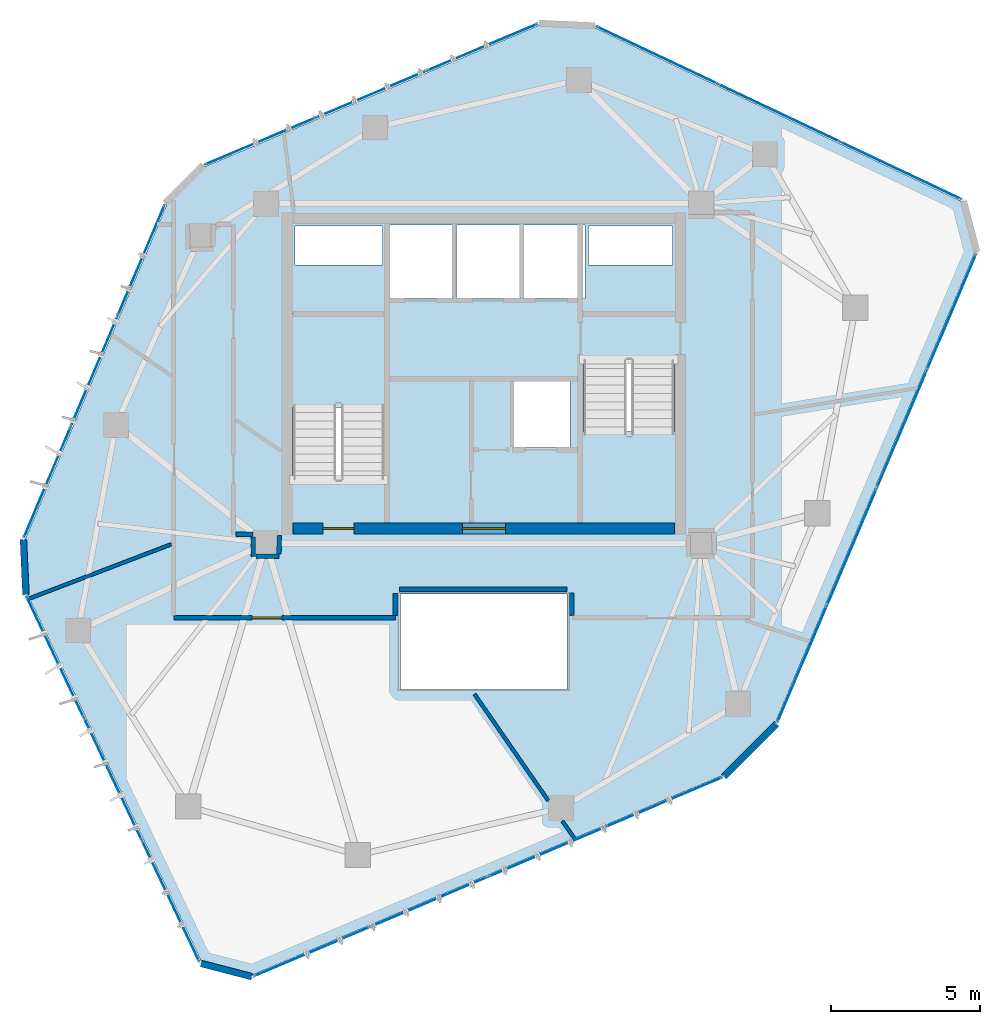
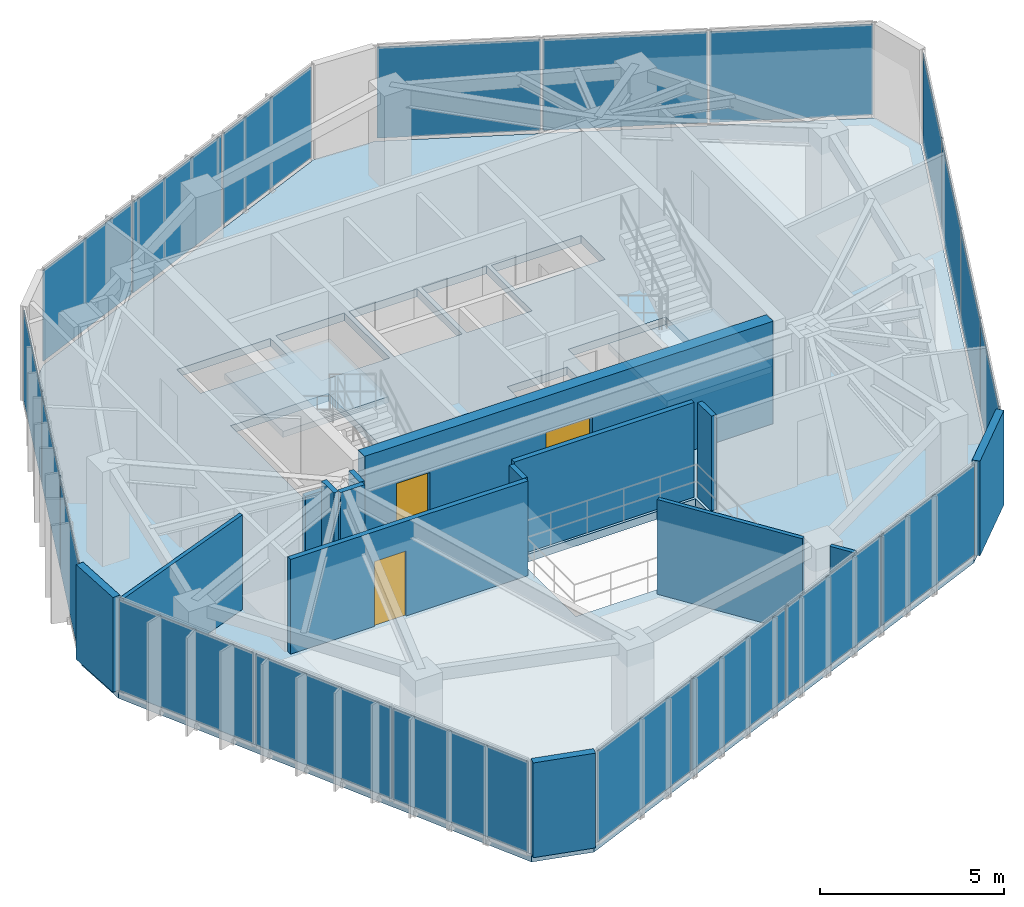
# One storey, part 16 of 20: 20 plates, 15 walls, 3 doors, 3 slabs, 3 openings, 8 elements without a shape of their own.
"""IFC4 building model written with IfcOpenShell, lengths in metres."""

import ifcopenshell
import ifcopenshell.guid

model = None  # the IFC model being written
_history = None  # IfcOwnerHistory: only IFC2X3 demands one
_inside = {}  # id of a spatial element -> (the spatial element, [elements in it])
_under = {}  # id of a project, library or spatial element -> (it, [spatial elements below it])
_declared = {}  # id of a project -> (the project, [libraries it declares])
_typed = {}  # id of a type object -> (the type object, [elements of that type])
_made_of = {}  # id of a material, layer set ... -> (it, [elements and type objects made of it])


def new_model(schema):
    """Start an empty IFC model of exactly this schema.

    Asked for "IFC4X3", IfcOpenShell would pick the latest addendum, in which some entities
    have other attributes; the version numbers below select the first issue.
    IFC2X3 requires an IfcOwnerHistory on every rooted entity: one is made here for all.
    """
    global model, _history
    if schema == "IFC4X3":
        model = ifcopenshell.file(schema_version=(4, 3, 0, 0))
    else:
        model = ifcopenshell.file(schema=schema)
    _inside.clear()
    _under.clear()
    _declared.clear()
    _typed.clear()
    _made_of.clear()
    _history = None
    if model.schema == "IFC2X3":
        org = make("IfcOrganization", Name="unknown")
        user = make(
            "IfcPersonAndOrganization",
            ThePerson=make("IfcPerson", FamilyName="unknown"),
            TheOrganization=org,
        )
        app = make(
            "IfcApplication",
            ApplicationDeveloper=org,
            Version="unknown",
            ApplicationFullName="unknown",
            ApplicationIdentifier="unknown",
        )
        _history = make(
            "IfcOwnerHistory",
            OwningUser=user,
            OwningApplication=app,
            ChangeAction="ADDED",
            CreationDate=0,
        )
    return model


def make(cls, **values):
    """One entity of the class cls with the attributes given. An attribute that is None is left unset."""
    return model.create_entity(
        cls, **{name: value for name, value in values.items() if value is not None}
    )


def rooted(cls, **values):
    """An entity with a GlobalId (a new one), such as an element, a storey or a relation."""
    return make(cls, GlobalId=ifcopenshell.guid.new(), OwnerHistory=_history, **values)


def si_unit(unit_type, name, prefix=None):
    """IfcSIUnit, for example si_unit("LENGTHUNIT", "METRE", prefix="MILLI")."""
    return make("IfcSIUnit", UnitType=unit_type, Prefix=prefix, Name=name)


def assignment(units):
    """IfcUnitAssignment: the units of a project."""
    return None if units is None else make("IfcUnitAssignment", Units=units)


def point(xyz):
    """IfcCartesianPoint."""
    return None if xyz is None else make("IfcCartesianPoint", Coordinates=xyz)


def direction(xyz):
    """IfcDirection."""
    return None if xyz is None else make("IfcDirection", DirectionRatios=xyz)


def frame(location, z_axis=None, x_axis=None):
    """IfcAxis2Placement3D, a coordinate frame: its origin and axes. An axis left out is left unset."""
    return make(
        "IfcAxis2Placement3D",
        Location=point(location),
        Axis=direction(z_axis),
        RefDirection=direction(x_axis),
    )


def frame_2d(location, x_axis=None):
    """IfcAxis2Placement2D, a coordinate frame in the plane: its origin and x axis."""
    return make(
        "IfcAxis2Placement2D", Location=point(location), RefDirection=direction(x_axis)
    )


def origin():
    """The frame at (0, 0, 0) with its axes left unset."""
    return frame((0.0, 0.0, 0.0))


def origin_2d():
    """The frame at (0, 0) in the plane with its x axis left unset."""
    return frame_2d((0.0, 0.0))


def place(relative_to, where):
    """IfcLocalPlacement: puts the frame where relative to a parent placement (None: the world)."""
    return make(
        "IfcLocalPlacement", PlacementRelTo=relative_to, RelativePlacement=where
    )


def context(
    kind, dimensions, precision=None, world=None, true_north=None, identifier=None
):
    """IfcGeometricRepresentationContext, for example the 3D "Model" context."""
    return make(
        "IfcGeometricRepresentationContext",
        ContextIdentifier=identifier,
        ContextType=kind,
        CoordinateSpaceDimension=dimensions,
        Precision=precision,
        WorldCoordinateSystem=world,
        TrueNorth=true_north,
    )


def subcontext(parent, identifier, kind, view, scale=None):
    """IfcGeometricRepresentationSubContext, for example "Body" below "Model"."""
    return make(
        "IfcGeometricRepresentationSubContext",
        ContextIdentifier=identifier,
        ContextType=kind,
        ParentContext=parent,
        TargetScale=scale,
        TargetView=view,
    )


def project(units=None, contexts=None):
    """IfcProject with its units and contexts."""
    return rooted(
        "IfcProject",
        Name="project",
        RepresentationContexts=contexts,
        UnitsInContext=assignment(units),
    )


def spatial(cls, under=None, at=None, **own):
    """A site, building, storey or space (cls), placed at a placement, below another one or the project."""
    s = rooted(cls, ObjectPlacement=at, **own)
    if under is not None:
        _under.setdefault(under.id(), (under, []))[1].append(s)
    return s


def polyline(points):
    """IfcPolyline through the points."""
    return make("IfcPolyline", Points=[point(p) for p in points])


def profile(cls, at=None, kind="AREA", **sizes):
    """A parametric profile (cls). Its sizes go by their IFC names, for example OverallWidth=200.0."""
    return make(cls, ProfileType=kind, Position=at, **sizes)


def rectangle(**sizes):
    """IfcRectangleProfileDef."""
    return profile("IfcRectangleProfileDef", **sizes)


def outline(outer, holes=None, kind="AREA"):
    """IfcArbitraryClosedProfileDef: a profile drawn as a closed curve; with holes, ...WithVoids."""
    if holes is None:
        return make("IfcArbitraryClosedProfileDef", ProfileType=kind, OuterCurve=outer)
    return make(
        "IfcArbitraryProfileDefWithVoids",
        ProfileType=kind,
        OuterCurve=outer,
        InnerCurves=holes,
    )


def extrude(swept, where, along, depth):
    """IfcExtrudedAreaSolid: the profile swept, set in the frame where, extruded along a direction by depth."""
    return make(
        "IfcExtrudedAreaSolid",
        SweptArea=swept,
        Position=where,
        ExtrudedDirection=direction(along),
        Depth=depth,
    )


def shape(context_of_items, identifier, shape_type, items):
    """IfcShapeRepresentation: the items that make up one representation, for example the "Body"."""
    return make(
        "IfcShapeRepresentation",
        ContextOfItems=context_of_items,
        RepresentationIdentifier=identifier,
        RepresentationType=shape_type,
        Items=items,
    )


def source(mapping_origin, context_of_items, identifier, shape_type, items):
    """IfcRepresentationMap: a shape defined once, which mapped items show again and again."""
    return make(
        "IfcRepresentationMap",
        MappingOrigin=mapping_origin,
        MappedRepresentation=shape(context_of_items, identifier, shape_type, items),
    )


def transform(
    local_origin,
    x_axis=None,
    y_axis=None,
    z_axis=None,
    scale=None,
    scale2=None,
    scale3=None,
    uniform=True,
):
    """IfcCartesianTransformationOperator3D, or its non-uniform kind. x_axis, y_axis, z_axis: its Axis1, 2, 3."""
    if uniform:
        return make(
            "IfcCartesianTransformationOperator3D",
            Axis1=direction(x_axis),
            Axis2=direction(y_axis),
            LocalOrigin=point(local_origin),
            Scale=scale,
            Axis3=direction(z_axis),
        )
    return make(
        "IfcCartesianTransformationOperator3DnonUniform",
        Axis1=direction(x_axis),
        Axis2=direction(y_axis),
        LocalOrigin=point(local_origin),
        Scale=scale,
        Axis3=direction(z_axis),
        Scale2=scale2,
        Scale3=scale3,
    )


def mapped(mapping_source, mapping_target):
    """IfcMappedItem: shows the shape of a source again, moved by a transform."""
    return make(
        "IfcMappedItem", MappingSource=mapping_source, MappingTarget=mapping_target
    )


def material(Name=None, Category=None):
    """IfcMaterial."""
    return make("IfcMaterial", Name=Name, Category=Category)


def layer(
    of_material, thickness, ventilated=None, Name=None, Category=None, Priority=None
):
    """IfcMaterialLayer: one layer of a wall or slab, of a material (None: an air gap)."""
    return make(
        "IfcMaterialLayer",
        Material=of_material,
        LayerThickness=thickness,
        IsVentilated=ventilated,
        Name=Name,
        Category=Category,
        Priority=Priority,
    )


def layer_set(layers, Name=None):
    """IfcMaterialLayerSet."""
    return make("IfcMaterialLayerSet", MaterialLayers=layers, LayerSetName=Name)


def made_of(thing, what):
    """Note that an element or type object is made of a material, layer set ...; save() writes the relation."""
    if what is not None:
        _made_of.setdefault(what.id(), (what, []))[1].append(thing)
    return thing


def type_object(cls, material=None, **own):
    """A type object (cls), such as IfcWallType, which elements share."""
    return made_of(rooted(cls, **own), material)


def type_shapes(of_type, sources):
    """Give a type object the sources (RepresentationMaps) that its elements show as mapped items."""
    of_type.RepresentationMaps = sources


def element(
    cls,
    number,
    at=None,
    inside=None,
    cuts=None,
    type_object=None,
    material=None,
    context=None,
    identifier="Body",
    shape_type=None,
    held_by="IfcProductDefinitionShape",
    body=None,
    shapes=None,
    **own,
):
    """One element of the class cls, such as IfcWall. Its Tag is "e" and its number.

    at: its placement. inside: the storey or other place that contains it. cuts: it is an
    opening in that element (IfcRelVoidsElement). A single representation is given by context,
    identifier, shape_type and body (its items); several are given by shapes. held_by: the class
    of the entity that holds the representations. save() writes the other relations.
    """
    e = rooted(cls, Tag="e%d" % number, ObjectPlacement=at, **own)
    if body is not None:
        shapes = [shape(context, identifier, shape_type, body)]
    if shapes is not None:
        e.Representation = make(held_by, Representations=shapes)
    if inside is not None:
        _inside.setdefault(inside.id(), (inside, []))[1].append(e)
    if cuts is not None:
        rooted(
            "IfcRelVoidsElement", RelatingBuildingElement=cuts, RelatedOpeningElement=e
        )
    if type_object is not None:
        _typed.setdefault(type_object.id(), (type_object, []))[1].append(e)
    return made_of(e, material)


def fill(opening, filler):
    """IfcRelFillsElement: the door or window that sits in an opening."""
    return rooted(
        "IfcRelFillsElement",
        RelatingOpeningElement=opening,
        RelatedBuildingElement=filler,
    )


def aggregate(whole, parts):
    """IfcRelAggregates: a whole, such as a stair, and the parts it consists of."""
    return rooted("IfcRelAggregates", RelatingObject=whole, RelatedObjects=parts)


def save(model, path):
    """Write the relations noted so far, then the file.

    IfcRelAggregates (storeys below a building ...), IfcRelContainedInSpatialStructure (elements
    in a storey), IfcRelDefinesByType, IfcRelAssociatesMaterial and IfcRelDeclares: one each for
    every whole, place, type object, material and project.
    """
    for whole, parts in _under.values():
        aggregate(whole, parts)
    for where, things in _inside.values():
        rooted(
            "IfcRelContainedInSpatialStructure",
            RelatedElements=things,
            RelatingStructure=where,
        )
    for kind, things in _typed.values():
        rooted("IfcRelDefinesByType", RelatedObjects=things, RelatingType=kind)
    for what, things in _made_of.values():
        rooted("IfcRelAssociatesMaterial", RelatedObjects=things, RelatingMaterial=what)
    for by, libraries in _declared.values():
        rooted("IfcRelDeclares", RelatingContext=by, RelatedDefinitions=libraries)
    model.write(path)


model = new_model("IFC4")

# Units and contexts
model_context = context("Model", 3, precision=1e-05, world=origin(), true_north=direction((0.0, 1.0)))
body_context = subcontext(model_context, "Body", "Model", "MODEL_VIEW")
ifc_project = project(units=[si_unit("LENGTHUNIT", "METRE"), si_unit("AREAUNIT", "SQUARE_METRE"), si_unit("VOLUMEUNIT", "CUBIC_METRE"), si_unit("PLANEANGLEUNIT", "RADIAN"), si_unit("MASSUNIT", "GRAM", prefix="KILO")], contexts=[model_context])

# Site, building, storey
site_placement = place(None, origin())
site = spatial("IfcSite", under=ifc_project, at=site_placement, CompositionType="ELEMENT")
building_placement = place(site_placement, origin())
building = spatial("IfcBuilding", under=site, at=building_placement, Name="Talar Marvaseh", CompositionType="ELEMENT")
storey_placement = place(building_placement, frame((0.0, 0.0, 274.800048828125)))
storey = spatial("IfcBuildingStorey", under=building, at=storey_placement, Name="L73", CompositionType="ELEMENT", Elevation=274.800048828125)

# Stair, slab
ifc_material_1 = material(Name="Concrete C40/50", Category="concrete")
stair_type = type_object("IfcStairType", Name="Reinforced Concrete High-Rise Exit Stair Type C", PredefinedType="HALF_TURN_STAIR", material=ifc_material_1)
stair_1_placement = place(storey_placement, origin())
stair_1 = element("IfcStair", 1, at=stair_1_placement, inside=storey, type_object=stair_type, Name="L73 Tower West Core Exit Stair", PredefinedType="HALF_TURN_STAIR")
ifc_layer_1 = layer(ifc_material_1, 0.199951171875)
ifc_layer_set_1 = layer_set([ifc_layer_1], Name="Concrete C40/50")
slab_type_1 = type_object("IfcSlabType", Name="Reinforced Concrete Stair Half-Landing Slab 200", PredefinedType="LANDING", material=ifc_layer_set_1)
slab_1_placement = place(storey_placement, frame((0.0, 0.0, 1.5)))
slab_1 = element("IfcSlab", 2, at=slab_1_placement, type_object=slab_type_1, Name="ST-1 landing 1", PredefinedType="LANDING", context=body_context, shape_type="SweptSolid", body=[
    extrude(outline(polyline([(22.780029296875, 30.050048828125), (22.780029296875, 33.219970703125), (19.47998046875, 33.219970703125), (19.47998046875, 30.050048828125), (22.780029296875, 30.050048828125)])), origin(), (0.0, 0.0, 1.0), 0.199951171875),
])
aggregate(stair_1, [slab_1])

stair_2_placement = place(storey_placement, origin())
stair_2 = element("IfcStair", 3, at=stair_2_placement, inside=storey, type_object=stair_type, Name="L73 Tower East Core Exit Stair", PredefinedType="HALF_TURN_STAIR")
slab_2_placement = place(storey_placement, frame((0.0, 0.0, 1.5)))
slab_2 = element("IfcSlab", 4, at=slab_2_placement, type_object=slab_type_1, Name="ST-2 landing 1", PredefinedType="LANDING", context=body_context, shape_type="SweptSolid", body=[
    extrude(outline(polyline([(29.219970703125, 29.25), (29.219970703125, 26.080078125), (32.52001953125, 26.080078125), (32.52001953125, 29.25), (29.219970703125, 29.25)])), origin(), (0.0, 0.0, 1.0), 0.199951171875),
])
aggregate(stair_2, [slab_2])

# Slab
ifc_layer_2 = layer(ifc_material_1, 0.260009765625)
ifc_layer_set_2 = layer_set([ifc_layer_2], Name="Concrete C40/50")
slab_type_2 = type_object("IfcSlabType", Name="Structural Suspended Floor Slab 260", PredefinedType="FLOOR", material=ifc_layer_set_2)
slab_3_placement = place(storey_placement, frame((0.0, 0.0, -0.260009765625)))
element("IfcSlab", 5, at=slab_3_placement, inside=storey, type_object=slab_type_2, Name="L73 Tower Floor Slab", PredefinedType="FLOOR", context=body_context, shape_type="SweptSolid", body=[
    extrude(outline(polyline([(18.234619140625, 11.013427734375), (16.533203125, 11.455810546875), (10.6962890625, 23.77783203125), (10.611328125, 25.632568359375), (15.3671875, 36.873779296875), (16.626220703125, 38.1328125), (27.867431640625, 42.888671875), (29.72216796875, 42.8037109375), (42.044189453125, 36.966796875), (42.486572265625, 35.265380859375), (35.78515625, 19.484375), (34.015625, 17.71484375), (18.234619140625, 11.013427734375)]), holes=[polyline([(22.659912109375, 27.64990234375), (22.659912109375, 33.10009765625), (19.60009765625, 33.10009765625), (19.60009765625, 27.64990234375), (22.659912109375, 27.64990234375)]), polyline([(29.340087890625, 31.64990234375), (29.340087890625, 26.199951171875), (32.39990234375, 26.199951171875), (32.39990234375, 31.64990234375), (29.340087890625, 31.64990234375)]), polyline([(22.800048828125, 33.719970703125), (24.93994140625, 33.719970703125), (24.93994140625, 36.179931640625), (22.800048828125, 36.179931640625), (22.800048828125, 33.719970703125)]), polyline([(25.080078125, 33.719970703125), (27.219970703125, 33.719970703125), (27.219970703125, 36.179931640625), (25.080078125, 36.179931640625), (25.080078125, 33.719970703125)]), polyline([(27.360107421875, 33.719970703125), (29.39990234375, 33.719970703125), (29.39990234375, 36.179931640625), (27.360107421875, 36.179931640625), (27.360107421875, 33.719970703125)]), polyline([(27.02001953125, 28.719970703125), (28.89990234375, 28.719970703125), (28.89990234375, 30.93994140625), (27.02001953125, 30.93994140625), (27.02001953125, 28.719970703125)]), polyline([(19.659912109375, 34.840087890625), (22.60009765625, 34.840087890625), (22.60009765625, 36.139892578125), (19.659912109375, 36.139892578125), (19.659912109375, 34.840087890625)]), polyline([(29.52001953125, 34.840087890625), (32.340087890625, 34.840087890625), (32.340087890625, 36.139892578125), (29.52001953125, 36.139892578125), (29.52001953125, 34.840087890625)]), polyline([(23.199951171875, 20.60009765625), (28.800048828125, 20.60009765625), (28.800048828125, 23.800048828125), (23.199951171875, 23.800048828125), (23.199951171875, 20.60009765625)])]), origin(), (0.0, 0.0, 1.0), 0.260009765625),
])

# Curtain wall, plates
ifc_material_2 = material(Name="Architectural Aluminium", Category="aluminium")
ifc_layer_3 = layer(ifc_material_2, 0.179931640625)
ifc_layer_set_3 = layer_set([ifc_layer_3], Name="Architectural Aluminium")
curtain_wall_type = type_object("IfcCurtainWallType", Name="Unitised High-Wind Sky Curtain Wall Z4", PredefinedType="NOTDEFINED", material=ifc_layer_set_3)
curtain_wall_1_placement = place(storey_placement, origin())
curtain_wall_1 = element("IfcCurtainWall", 6, at=curtain_wall_1_placement, inside=storey, type_object=curtain_wall_type, Name="L73 Unitised High-Wind Sky Curtain Wall Z4", PredefinedType="NOTDEFINED")
ifc_material_3 = material(Name="Laminated Low-E Solar Glass", Category="glass")
ifc_layer_4 = layer(ifc_material_3, 0.028076171875)
ifc_layer_set_4 = layer_set([ifc_layer_4], Name="Laminated Low-E Solar Glass")
plate_type = type_object("IfcPlateType", Name="Double-Glazed Low-E Vision Curtain Panel 28", PredefinedType="CURTAIN_PANEL", material=ifc_layer_set_4)
shared_shape_1 = source(origin(), body_context, "Body", "SweptSolid", [
    extrude(rectangle(XDim=4.447509765625, YDim=0.028076171875, at=origin_2d()), origin(), (0.0, 0.0, 1.0), 3.010009765625),
])
plate_1_placement = place(storey_placement, frame((15.499267578125, 13.498291015625, 0.06494140625), z_axis=(0.0, 0.0, 1.0), x_axis=(-0.42809044326, 0.903735897478, 0.0)))
plate_1 = element("IfcPlate", 7, at=plate_1_placement, type_object=plate_type, Name="CW-Z4 panel 1.1", PredefinedType="CURTAIN_PANEL", context=body_context, shape_type="MappedRepresentation", body=[
    mapped(shared_shape_1, transform((0.0, 0.0, 0.0), x_axis=(1.0, 0.0, 0.0), y_axis=(0.0, 1.0, 0.0), z_axis=(0.0, 0.0, 1.0), scale=1.0)),
])
plate_2_placement = place(storey_placement, frame((11.621826171875, 21.683837890625, 0.06494140625), z_axis=(0.0, 0.0, 1.0), x_axis=(-0.42809044326, 0.903735897478, 0.0)))
plate_2 = element("IfcPlate", 8, at=plate_2_placement, type_object=plate_type, Name="CW-Z4 panel 3.1", PredefinedType="CURTAIN_PANEL", context=body_context, shape_type="MappedRepresentation", body=[
    mapped(shared_shape_1, transform((0.0, 0.0, 0.0), x_axis=(1.0, 0.0, 0.0), y_axis=(0.0, 1.0, 0.0), z_axis=(0.0, 0.0, 1.0), scale=1.0)),
])

curtain_wall_2_placement = place(storey_placement, origin())
curtain_wall_2 = element("IfcCurtainWall", 9, at=curtain_wall_2_placement, inside=storey, type_object=curtain_wall_type, Name="L73 Unitised High-Wind Sky Curtain Wall Z4", PredefinedType="NOTDEFINED")
plate_3_placement = place(storey_placement, frame((31.816162109375, 41.878173828125, 0.06494140625), z_axis=(0.0, 0.0, 1.0), x_axis=(0.903735897478, -0.42809044326, 0.0)))
plate_3 = element("IfcPlate", 10, at=plate_3_placement, type_object=plate_type, Name="CW-Z4 panel 1.1", PredefinedType="CURTAIN_PANEL", context=body_context, shape_type="MappedRepresentation", body=[
    mapped(shared_shape_1, transform((0.0, 0.0, 0.0), x_axis=(1.0, 0.0, 0.0), y_axis=(0.0, 1.0, 0.0), z_axis=(0.0, 0.0, 1.0), scale=1.0)),
])
plate_4_placement = place(storey_placement, frame((40.001708984375, 38.000732421875, 0.06494140625), z_axis=(0.0, 0.0, 1.0), x_axis=(0.903735897478, -0.42809044326, 0.0)))
plate_4 = element("IfcPlate", 11, at=plate_4_placement, type_object=plate_type, Name="CW-Z4 panel 3.1", PredefinedType="CURTAIN_PANEL", context=body_context, shape_type="MappedRepresentation", body=[
    mapped(shared_shape_1, transform((0.0, 0.0, 0.0), x_axis=(1.0, 0.0, 0.0), y_axis=(0.0, 1.0, 0.0), z_axis=(0.0, 0.0, 1.0), scale=1.0)),
])

# Plate
shared_shape_2 = source(origin(), body_context, "Body", "SweptSolid", [
    extrude(rectangle(XDim=4.47998046875, YDim=0.028076171875, at=origin_2d()), origin(), (0.0, 0.0, 1.0), 3.010009765625),
])
plate_5_placement = place(storey_placement, frame((13.560546875, 17.591064453125, 0.06494140625), z_axis=(0.0, 0.0, 1.0), x_axis=(-0.42809044326, 0.903735897478, 0.0)))
plate_5 = element("IfcPlate", 12, at=plate_5_placement, type_object=plate_type, Name="CW-Z4 panel 2.1", PredefinedType="CURTAIN_PANEL", context=body_context, shape_type="MappedRepresentation", body=[
    mapped(shared_shape_2, transform((0.0, 0.0, 0.0), x_axis=(1.0, 0.0, 0.0), y_axis=(0.0, 1.0, 0.0), z_axis=(0.0, 0.0, 1.0), scale=1.0)),
])

aggregate(curtain_wall_1, [plate_1, plate_5, plate_2])

plate_6_placement = place(storey_placement, frame((35.908935546875, 39.939453125, 0.06494140625), z_axis=(0.0, 0.0, 1.0), x_axis=(0.903735897478, -0.42809044326, 0.0)))
plate_6 = element("IfcPlate", 13, at=plate_6_placement, type_object=plate_type, Name="CW-Z4 panel 2.1", PredefinedType="CURTAIN_PANEL", context=body_context, shape_type="MappedRepresentation", body=[
    mapped(shared_shape_2, transform((0.0, 0.0, 0.0), x_axis=(1.0, 0.0, 0.0), y_axis=(0.0, 1.0, 0.0), z_axis=(0.0, 0.0, 1.0), scale=1.0)),
])

aggregate(curtain_wall_2, [plate_3, plate_6, plate_4])

# Curtain wall, plates
curtain_wall_3_placement = place(storey_placement, origin())
curtain_wall_3 = element("IfcCurtainWall", 14, at=curtain_wall_3_placement, inside=storey, type_object=curtain_wall_type, Name="L73 Unitised High-Wind Sky Curtain Wall Z4", PredefinedType="NOTDEFINED")
shared_shape_3 = source(origin(), body_context, "Body", "SweptSolid", [
    extrude(rectangle(XDim=3.97119140625, YDim=0.028076171875, at=origin_2d()), origin(), (0.0, 0.0, 1.0), 3.010009765625),
])
plate_7_placement = place(storey_placement, frame((11.35498046875, 27.54443359375, 0.06494140625), z_axis=(0.0, 0.0, 1.0), x_axis=(0.389637585446, 0.92096826873, 0.0)))
plate_7 = element("IfcPlate", 15, at=plate_7_placement, type_object=plate_type, Name="CW-Z4 panel 1.1", PredefinedType="CURTAIN_PANEL", context=body_context, shape_type="MappedRepresentation", body=[
    mapped(shared_shape_3, transform((0.0, 0.0, 0.0), x_axis=(1.0, 0.0, 0.0), y_axis=(0.0, 1.0, 0.0), z_axis=(0.0, 0.0, 1.0), scale=1.0)),
])
plate_8_placement = place(storey_placement, frame((14.512939453125, 35.0087890625, 0.06494140625), z_axis=(0.0, 0.0, 1.0), x_axis=(0.389637585446, 0.92096826873, 0.0)))
plate_8 = element("IfcPlate", 16, at=plate_8_placement, type_object=plate_type, Name="CW-Z4 panel 3.1", PredefinedType="CURTAIN_PANEL", context=body_context, shape_type="MappedRepresentation", body=[
    mapped(shared_shape_3, transform((0.0, 0.0, 0.0), x_axis=(1.0, 0.0, 0.0), y_axis=(0.0, 1.0, 0.0), z_axis=(0.0, 0.0, 1.0), scale=1.0)),
])

curtain_wall_4_placement = place(storey_placement, origin())
curtain_wall_4 = element("IfcCurtainWall", 17, at=curtain_wall_4_placement, inside=storey, type_object=curtain_wall_type, Name="L73 Unitised High-Wind Sky Curtain Wall Z4", PredefinedType="NOTDEFINED")
plate_9_placement = place(storey_placement, frame((18.4912109375, 38.987060546875, 0.06494140625), z_axis=(0.0, 0.0, 1.0), x_axis=(0.92096826873, 0.389637585446, 0.0)))
plate_9 = element("IfcPlate", 18, at=plate_9_placement, type_object=plate_type, Name="CW-Z4 panel 1.1", PredefinedType="CURTAIN_PANEL", context=body_context, shape_type="MappedRepresentation", body=[
    mapped(shared_shape_3, transform((0.0, 0.0, 0.0), x_axis=(1.0, 0.0, 0.0), y_axis=(0.0, 1.0, 0.0), z_axis=(0.0, 0.0, 1.0), scale=1.0)),
])
plate_10_placement = place(storey_placement, frame((25.95556640625, 42.14501953125, 0.06494140625), z_axis=(0.0, 0.0, 1.0), x_axis=(0.92096826873, 0.389637585446, 0.0)))
plate_10 = element("IfcPlate", 19, at=plate_10_placement, type_object=plate_type, Name="CW-Z4 panel 3.1", PredefinedType="CURTAIN_PANEL", context=body_context, shape_type="MappedRepresentation", body=[
    mapped(shared_shape_3, transform((0.0, 0.0, 0.0), x_axis=(1.0, 0.0, 0.0), y_axis=(0.0, 1.0, 0.0), z_axis=(0.0, 0.0, 1.0), scale=1.0)),
])

# Plate
shared_shape_4 = source(origin(), body_context, "Body", "SweptSolid", [
    extrude(rectangle(XDim=4.003662109375, YDim=0.028076171875, at=origin_2d()), origin(), (0.0, 0.0, 1.0), 3.010009765625),
])
plate_11_placement = place(storey_placement, frame((12.933837890625, 31.276611328125, 0.06494140625), z_axis=(0.0, 0.0, 1.0), x_axis=(0.389637585446, 0.92096826873, 0.0)))
plate_11 = element("IfcPlate", 20, at=plate_11_placement, type_object=plate_type, Name="CW-Z4 panel 2.1", PredefinedType="CURTAIN_PANEL", context=body_context, shape_type="MappedRepresentation", body=[
    mapped(shared_shape_4, transform((0.0, 0.0, 0.0), x_axis=(1.0, 0.0, 0.0), y_axis=(0.0, 1.0, 0.0), z_axis=(0.0, 0.0, 1.0), scale=1.0)),
])

aggregate(curtain_wall_3, [plate_7, plate_11, plate_8])

plate_12_placement = place(storey_placement, frame((22.223388671875, 40.566162109375, 0.06494140625), z_axis=(0.0, 0.0, 1.0), x_axis=(0.92096826873, 0.389637585446, 0.0)))
plate_12 = element("IfcPlate", 21, at=plate_12_placement, type_object=plate_type, Name="CW-Z4 panel 2.1", PredefinedType="CURTAIN_PANEL", context=body_context, shape_type="MappedRepresentation", body=[
    mapped(shared_shape_4, transform((0.0, 0.0, 0.0), x_axis=(1.0, 0.0, 0.0), y_axis=(0.0, 1.0, 0.0), z_axis=(0.0, 0.0, 1.0), scale=1.0)),
])

aggregate(curtain_wall_4, [plate_9, plate_12, plate_10])

# Curtain wall, plates
curtain_wall_5_placement = place(storey_placement, origin())
curtain_wall_5 = element("IfcCurtainWall", 22, at=curtain_wall_5_placement, inside=storey, type_object=curtain_wall_type, Name="L73 Unitised High-Wind Sky Curtain Wall Z4", PredefinedType="NOTDEFINED")
shared_shape_5 = source(origin(), body_context, "Body", "SweptSolid", [
    extrude(rectangle(XDim=4.188720703125, YDim=0.028076171875, at=origin_2d()), origin(), (0.0, 0.0, 1.0), 3.010009765625),
])
plate_13_placement = place(storey_placement, frame((41.69775390625, 33.25439453125, 0.06494140625), z_axis=(0.0, 0.0, 1.0), x_axis=(-0.39087261377, -0.920444783681, 0.0)))
plate_13 = element("IfcPlate", 23, at=plate_13_placement, type_object=plate_type, Name="CW-Z4 panel 1.1", PredefinedType="CURTAIN_PANEL", context=body_context, shape_type="MappedRepresentation", body=[
    mapped(shared_shape_5, transform((0.0, 0.0, 0.0), x_axis=(1.0, 0.0, 0.0), y_axis=(0.0, 1.0, 0.0), z_axis=(0.0, 0.0, 1.0), scale=1.0)),
])
plate_14_placement = place(storey_placement, frame((36.684326171875, 21.448486328125, 0.06494140625), z_axis=(0.0, 0.0, 1.0), x_axis=(-0.39087261377, -0.920444783681, 0.0)))
plate_14 = element("IfcPlate", 24, at=plate_14_placement, type_object=plate_type, Name="CW-Z4 panel 4.1", PredefinedType="CURTAIN_PANEL", context=body_context, shape_type="MappedRepresentation", body=[
    mapped(shared_shape_5, transform((0.0, 0.0, 0.0), x_axis=(1.0, 0.0, 0.0), y_axis=(0.0, 1.0, 0.0), z_axis=(0.0, 0.0, 1.0), scale=1.0)),
])

curtain_wall_6_placement = place(storey_placement, origin())
curtain_wall_6 = element("IfcCurtainWall", 25, at=curtain_wall_6_placement, inside=storey, type_object=curtain_wall_type, Name="L73 Unitised High-Wind Sky Curtain Wall Z4", PredefinedType="NOTDEFINED")
plate_15_placement = place(storey_placement, frame((32.051513671875, 16.815673828125, 0.06494140625), z_axis=(0.0, 0.0, 1.0), x_axis=(-0.920444783681, -0.39087261377, 0.0)))
plate_15 = element("IfcPlate", 26, at=plate_15_placement, type_object=plate_type, Name="CW-Z4 panel 1.1", PredefinedType="CURTAIN_PANEL", context=body_context, shape_type="MappedRepresentation", body=[
    mapped(shared_shape_5, transform((0.0, 0.0, 0.0), x_axis=(1.0, 0.0, 0.0), y_axis=(0.0, 1.0, 0.0), z_axis=(0.0, 0.0, 1.0), scale=1.0)),
])
plate_16_placement = place(storey_placement, frame((20.24560546875, 11.80224609375, 0.06494140625), z_axis=(0.0, 0.0, 1.0), x_axis=(-0.920444783681, -0.39087261377, 0.0)))
plate_16 = element("IfcPlate", 27, at=plate_16_placement, type_object=plate_type, Name="CW-Z4 panel 4.1", PredefinedType="CURTAIN_PANEL", context=body_context, shape_type="MappedRepresentation", body=[
    mapped(shared_shape_5, transform((0.0, 0.0, 0.0), x_axis=(1.0, 0.0, 0.0), y_axis=(0.0, 1.0, 0.0), z_axis=(0.0, 0.0, 1.0), scale=1.0)),
])

# Plate
shared_shape_6 = source(origin(), body_context, "Body", "SweptSolid", [
    extrude(rectangle(XDim=4.22119140625, YDim=0.028076171875, at=origin_2d()), origin(), (0.0, 0.0, 1.0), 3.010009765625),
])
type_shapes(plate_type, [shared_shape_1, shared_shape_2, shared_shape_3, shared_shape_4, shared_shape_5, shared_shape_6])
plate_17_placement = place(storey_placement, frame((40.02880859375, 29.323974609375, 0.06494140625), z_axis=(0.0, 0.0, 1.0), x_axis=(-0.39087261377, -0.920444783681, 0.0)))
plate_17 = element("IfcPlate", 28, at=plate_17_placement, type_object=plate_type, Name="CW-Z4 panel 2.1", PredefinedType="CURTAIN_PANEL", context=body_context, shape_type="MappedRepresentation", body=[
    mapped(shared_shape_6, transform((0.0, 0.0, 0.0), x_axis=(1.0, 0.0, 0.0), y_axis=(0.0, 1.0, 0.0), z_axis=(0.0, 0.0, 1.0), scale=1.0)),
])

plate_18_placement = place(storey_placement, frame((38.353271484375, 25.378662109375, 0.06494140625), z_axis=(0.0, 0.0, 1.0), x_axis=(-0.39087261377, -0.920444783681, 0.0)))
plate_18 = element("IfcPlate", 29, at=plate_18_placement, type_object=plate_type, Name="CW-Z4 panel 3.1", PredefinedType="CURTAIN_PANEL", context=body_context, shape_type="MappedRepresentation", body=[
    mapped(shared_shape_6, transform((0.0, 0.0, 0.0), x_axis=(1.0, 0.0, 0.0), y_axis=(0.0, 1.0, 0.0), z_axis=(0.0, 0.0, 1.0), scale=1.0)),
])

aggregate(curtain_wall_5, [plate_13, plate_17, plate_18, plate_14])

plate_19_placement = place(storey_placement, frame((28.121337890625, 15.146728515625, 0.06494140625), z_axis=(0.0, 0.0, 1.0), x_axis=(-0.920444783681, -0.39087261377, 0.0)))
plate_19 = element("IfcPlate", 30, at=plate_19_placement, type_object=plate_type, Name="CW-Z4 panel 2.1", PredefinedType="CURTAIN_PANEL", context=body_context, shape_type="MappedRepresentation", body=[
    mapped(shared_shape_6, transform((0.0, 0.0, 0.0), x_axis=(1.0, 0.0, 0.0), y_axis=(0.0, 1.0, 0.0), z_axis=(0.0, 0.0, 1.0), scale=1.0)),
])

plate_20_placement = place(storey_placement, frame((24.176025390625, 13.47119140625, 0.06494140625), z_axis=(0.0, 0.0, 1.0), x_axis=(-0.920444783681, -0.39087261377, 0.0)))
plate_20 = element("IfcPlate", 31, at=plate_20_placement, type_object=plate_type, Name="CW-Z4 panel 3.1", PredefinedType="CURTAIN_PANEL", context=body_context, shape_type="MappedRepresentation", body=[
    mapped(shared_shape_6, transform((0.0, 0.0, 0.0), x_axis=(1.0, 0.0, 0.0), y_axis=(0.0, 1.0, 0.0), z_axis=(0.0, 0.0, 1.0), scale=1.0)),
])

aggregate(curtain_wall_6, [plate_15, plate_19, plate_20, plate_16])

# Walls
ifc_material_4 = material(Name="Precast concrete C45/55", Category="concrete")
ifc_layer_5 = layer(ifc_material_4, 0.22509765625)
ifc_layer_set_5 = layer_set([ifc_layer_5], Name="Precast concrete C45/55")
wall_type_1 = type_object("IfcWallType", Name="Chamfered Hexagonal Corner Pier Wall Z4 225", PredefinedType="SOLIDWALL", material=ifc_layer_set_5)
wall_1_placement = place(storey_placement, frame((18.219482421875, 10.955322265625, 0.0), z_axis=(0.0, 0.0, 1.0), x_axis=(-0.967820477484, 0.251641656651, 0.0)))
element("IfcWall", 32, at=wall_1_placement, inside=storey, type_object=wall_type_1, Name="L73 Chamfered Corner Limestone Pier 1", PredefinedType="SOLIDWALL", context=body_context, shape_type="SweptSolid", body=[
    extrude(rectangle(XDim=1.758056640625, YDim=0.22509765625, at=frame_2d((0.87890625, 0.0))), origin(), (0.0, 0.0, 1.0), 3.139892578125),
])
wall_2_placement = place(storey_placement, frame((10.636474609375, 23.775146484375, 0.0), z_axis=(0.0, 0.0, 1.0), x_axis=(-0.045759571383, 0.998952482167, 0.0)))
element("IfcWall", 33, at=wall_2_placement, inside=storey, type_object=wall_type_1, Name="L73 Chamfered Corner Limestone Pier 2", PredefinedType="SOLIDWALL", context=body_context, shape_type="SweptSolid", body=[
    extrude(rectangle(XDim=1.856689453125, YDim=0.22509765625, at=frame_2d((0.92822265625, 0.0))), origin(), (0.0, 0.0, 1.0), 3.139892578125),
])
wall_3_placement = place(storey_placement, frame((35.827392578125, 19.44189453125, 0.0), z_axis=(0.0, 0.0, 1.0), x_axis=(-0.707106781187, -0.707106781187, 0.0)))
element("IfcWall", 34, at=wall_3_placement, inside=storey, type_object=wall_type_1, Name="L73 Chamfered Corner Limestone Pier 6", PredefinedType="SOLIDWALL", context=body_context, shape_type="SweptSolid", body=[
    extrude(rectangle(XDim=2.502197265625, YDim=0.22509765625, at=frame_2d((1.2509765625, 0.0))), origin(), (0.0, 0.0, 1.0), 3.139892578125),
])

# Wall, opening, door
ifc_material_5 = material(Name="Gypsum Board Partition Assembly")
ifc_layer_6 = layer(ifc_material_5, 0.155029296875)
ifc_layer_set_6 = layer_set([ifc_layer_6], Name="Gypsum Board Partition Assembly")
wall_type_2 = type_object("IfcWallType", Name="Corridor Fire-Rated Acoustic Partition 155", PredefinedType="PARTITIONING", material=ifc_layer_set_6)
wall_4_placement = place(storey_placement, frame((23.0400390625, 23.0, 0.0), z_axis=(0.0, 0.0, 1.0), x_axis=(-1.0, 0.0, 0.0)))
wall_4 = element("IfcWall", 35, at=wall_4_placement, inside=storey, type_object=wall_type_2, Name="L73 Interior Partition Wall", PredefinedType="PARTITIONING", context=body_context, shape_type="SweptSolid", body=[
    extrude(rectangle(XDim=7.43994140625, YDim=0.155029296875, at=frame_2d((3.719970703125, 0.0))), origin(), (0.0, 0.0, 1.0), 3.139892578125),
])
opening_1_placement = place(wall_4_placement, frame((3.815185546875, 0.0, 0.0)))
opening_1 = element("IfcOpeningElement", 36, at=opening_1_placement, cuts=wall_4, Name="Opening DR-RM100", PredefinedType="OPENING", context=body_context, shape_type="SweptSolid", body=[
    extrude(rectangle(XDim=1.0, YDim=2.14990234375, at=frame_2d((0.5, 1.074951171875))), frame((0.0, 0.08740234375, 0.0), z_axis=(0.0, -1.0, 0.0), x_axis=(1.0, 0.0, 0.0)), (0.0, 0.0, 1.0), 0.175048828125),
])
ifc_material_6 = material(Name="Acoustic Engineered Oak Timber", Category="wood")
door_type_1 = type_object("IfcDoorType", Name="Corridor Fire-Rated Gallery Door 1000x2150", OperationType="NOTDEFINED", PredefinedType="DOOR", material=ifc_material_6)
shared_shape_7 = source(origin(), body_context, "Body", "SweptSolid", [
    extrude(rectangle(XDim=1.0, YDim=2.14990234375, at=frame_2d((0.5, 1.074951171875))), frame((0.0, 0.02490234375, 0.0), z_axis=(0.0, -1.0, 0.0), x_axis=(1.0, 0.0, 0.0)), (0.0, 0.0, 1.0), 0.050048828125),
])
type_shapes(door_type_1, [shared_shape_7])
door_1_placement = place(opening_1_placement, origin())
door_1 = element("IfcDoor", 37, at=door_1_placement, inside=storey, type_object=door_type_1, Name="L73 Museum Publication Bookshop Door", OperationType="SINGLE_SWING_RIGHT", OverallHeight=2.14990234375, OverallWidth=1.0, PredefinedType="DOOR", context=body_context, shape_type="MappedRepresentation", body=[
    mapped(shared_shape_7, transform((0.0, 0.0, 0.0), x_axis=(1.0, 0.0, 0.0), y_axis=(0.0, 1.0, 0.0), z_axis=(0.0, 0.0, 1.0), scale=1.0)),
])
fill(opening_1, door_1)

# Walls
wall_5_placement = place(storey_placement, frame((17.68359375, 25.800048828125, 0.0), z_axis=(0.0, 0.0, 1.0), x_axis=(1.0, 0.0, 0.0)))
element("IfcWall", 38, at=wall_5_placement, inside=storey, type_object=wall_type_2, Name="L73 Interior Partition Wall", PredefinedType="PARTITIONING", context=body_context, shape_type="SweptSolid", body=[
    extrude(rectangle(XDim=0.576416015625, YDim=0.155029296875, at=frame_2d((0.2880859375, 0.0))), origin(), (0.0, 0.0, 1.0), 2.802001953125),
])
wall_6_placement = place(storey_placement, frame((18.260986328125, 25.716552734375, 0.0), z_axis=(0.0, 0.0, 1.0), x_axis=(0.010439401276, -0.999945507966, 0.0)))
element("IfcWall", 39, at=wall_6_placement, inside=storey, type_object=wall_type_2, Name="L73 Interior Partition Wall", PredefinedType="PARTITIONING", context=body_context, shape_type="SweptSolid", body=[
    extrude(rectangle(XDim=0.65478515625, YDim=0.155029296875, at=frame_2d((0.327392578125, 0.0))), origin(), (0.0, 0.0, 1.0), 3.139892578125),
])
wall_7_placement = place(storey_placement, frame((18.351318359375, 25.0615234375, 0.0), z_axis=(0.0, 0.0, 1.0), x_axis=(0.999998207633, -0.001893338355, 0.0)))
element("IfcWall", 40, at=wall_7_placement, inside=storey, type_object=wall_type_2, Name="L73 Interior Partition Wall", PredefinedType="PARTITIONING", context=body_context, shape_type="SweptSolid", body=[
    extrude(rectangle(XDim=0.773681640625, YDim=0.155029296875, at=frame_2d((0.38671875, 0.0))), origin(), (0.0, 0.0, 1.0), 3.139892578125),
])
wall_8_placement = place(storey_placement, frame((19.126708984375, 25.1435546875, 0.0), z_axis=(0.0, 0.0, 1.0), x_axis=(0.021238324089, 0.999774441357, 0.0)))
element("IfcWall", 41, at=wall_8_placement, inside=storey, type_object=wall_type_2, Name="L73 Interior Partition Wall", PredefinedType="PARTITIONING", context=body_context, shape_type="SweptSolid", body=[
    extrude(rectangle(XDim=0.620849609375, YDim=0.155029296875, at=frame_2d((0.310546875, 0.0))), origin(), (0.0, 0.0, 1.0), 3.139892578125),
])
wall_9_placement = place(storey_placement, frame((28.959716796875, 23.08349609375, 0.0), z_axis=(0.0, 0.0, 1.0), x_axis=(-0.003917697652, 0.999992325793, 0.0)))
element("IfcWall", 42, at=wall_9_placement, inside=storey, type_object=wall_type_2, Name="L73 Interior Partition Wall", PredefinedType="PARTITIONING", context=body_context, shape_type="SweptSolid", body=[
    extrude(rectangle(XDim=0.747802734375, YDim=0.155029296875, at=frame_2d((0.3740234375, 0.0))), origin(), (0.0, 0.0, 1.0), 3.139892578125),
])
wall_10_placement = place(storey_placement, frame((28.800048828125, 23.9599609375, 0.0), z_axis=(0.0, 0.0, 1.0), x_axis=(-0.999999841177, -0.000563600015, 0.0)))
element("IfcWall", 43, at=wall_10_placement, inside=storey, type_object=wall_type_2, Name="L73 Interior Partition Wall", PredefinedType="PARTITIONING", context=body_context, shape_type="SweptSolid", body=[
    extrude(rectangle(XDim=5.63134765625, YDim=0.155029296875, at=frame_2d((2.815673828125, 0.0))), origin(), (0.0, 0.0, 1.0), 3.139892578125),
])
wall_11_placement = place(storey_placement, frame((23.040771484375, 23.815673828125, 0.0), z_axis=(0.0, 0.0, 1.0), x_axis=(-0.001000332944, -0.999999499667, 0.0)))
element("IfcWall", 44, at=wall_11_placement, inside=storey, type_object=wall_type_2, Name="L73 Interior Partition Wall", PredefinedType="PARTITIONING", context=body_context, shape_type="SweptSolid", body=[
    extrude(rectangle(XDim=0.732177734375, YDim=0.155029296875, at=frame_2d((0.3662109375, 0.0))), origin(), (0.0, 0.0, 1.0), 3.139892578125),
])
ifc_layer_7 = layer(ifc_material_5, 0.1201171875)
ifc_layer_set_7 = layer_set([ifc_layer_7], Name="Gypsum Board Partition Assembly")
wall_type_3 = type_object("IfcWallType", Name="Demountable Studio Room Partition 120", PredefinedType="PARTITIONING", material=ifc_layer_set_7)
wall_12_placement = place(storey_placement, frame((25.68994140625, 20.43994140625, 0.0), z_axis=(0.0, 0.0, 1.0), x_axis=(0.569463569902, -0.82201657073, 0.0)))
element("IfcWall", 45, at=wall_12_placement, inside=storey, type_object=wall_type_3, Name="L73 Interior Partition Wall", PredefinedType="PARTITIONING", context=body_context, shape_type="SweptSolid", body=[
    extrude(rectangle(XDim=4.35498046875, YDim=0.1201171875, at=frame_2d((2.177490234375, 0.0))), origin(), (0.0, 0.0, 1.0), 3.139892578125),
])
wall_13_placement = place(storey_placement, frame((28.639892578125, 16.179931640625, 0.0), z_axis=(0.0, 0.0, 1.0), x_axis=(0.571199914595, -0.82081097554, 0.0)))
element("IfcWall", 46, at=wall_13_placement, inside=storey, type_object=wall_type_3, Name="L73 Interior Partition Wall", PredefinedType="PARTITIONING", context=body_context, shape_type="SweptSolid", body=[
    extrude(rectangle(XDim=0.739501953125, YDim=0.1201171875, at=frame_2d((0.36962890625, 0.0))), origin(), (0.0, 0.0, 1.0), 3.139892578125),
])
wall_14_placement = place(storey_placement, frame((10.724365234375, 23.63671875, 0.0), z_axis=(0.0, 0.0, 1.0), x_axis=(0.934118586371, 0.356962836434, 0.0)))
element("IfcWall", 47, at=wall_14_placement, inside=storey, type_object=wall_type_3, Name="L73 Interior Partition Wall", PredefinedType="PARTITIONING", context=body_context, shape_type="SweptSolid", body=[
    extrude(rectangle(XDim=5.130126953125, YDim=0.1201171875, at=frame_2d((2.56494140625, 0.0))), origin(), (0.0, 0.0, 1.0), 3.139892578125),
])

# Wall, openings, doors
ifc_material_7 = material(Name="Concrete C50/60", Category="concrete")
ifc_layer_8 = layer(ifc_material_7, 0.360107421875)
ifc_layer_set_8 = layer_set([ifc_layer_8], Name="Concrete C50/60")
wall_type_4 = type_object("IfcWallType", Name="Upper Core Reinforced Concrete Shear Wall 360", PredefinedType="SHEAR", material=ifc_layer_set_8)
wall_15_placement = place(storey_placement, frame((32.39990234375, 26.0, 0.0), z_axis=(0.0, 0.0, 1.0), x_axis=(-1.0, 0.0, 0.0)))
wall_15 = element("IfcWall", 48, at=wall_15_placement, inside=storey, type_object=wall_type_4, Name="L73 South Core Shear Wall", PredefinedType="SHEAR", context=body_context, shape_type="SweptSolid", body=[
    extrude(rectangle(XDim=12.7998046875, YDim=0.360107421875, at=frame_2d((6.39990234375, 0.0))), origin(), (0.0, 0.0, 1.0), 3.39990234375),
])
opening_2_placement = place(wall_15_placement, frame((10.75, 0.0, 0.0)))
opening_2 = element("IfcOpeningElement", 49, at=opening_2_placement, cuts=wall_15, Name="Opening DR-ST105", PredefinedType="OPENING", context=body_context, shape_type="SweptSolid", body=[
    extrude(rectangle(XDim=1.050048828125, YDim=2.14990234375, at=frame_2d((0.52490234375, 1.074951171875))), frame((0.0, 0.18994140625, 0.0), z_axis=(0.0, -1.0, 0.0), x_axis=(1.0, 0.0, 0.0)), (0.0, 0.0, 1.0), 0.380126953125),
])
opening_3_placement = place(wall_15_placement, frame((5.669921875, 0.0, 0.0)))
opening_3 = element("IfcOpeningElement", 50, at=opening_3_placement, cuts=wall_15, Name="Opening DR-LBY145", PredefinedType="OPENING", context=body_context, shape_type="SweptSolid", body=[
    extrude(rectangle(XDim=1.449951171875, YDim=2.199951171875, at=frame_2d((0.72509765625, 1.10009765625))), frame((0.0, 0.18994140625, 0.0), z_axis=(0.0, -1.0, 0.0), x_axis=(1.0, 0.0, 0.0)), (0.0, 0.0, 1.0), 0.380126953125),
])
ifc_material_8 = material(Name="Fire-Rated Steel Door Leaf", Category="steel")
door_type_2 = type_object("IfcDoorType", Name="Protected Exit Stair Fire Door 1050x2150", OperationType="NOTDEFINED", PredefinedType="DOOR", material=ifc_material_8)
shared_shape_8 = source(origin(), body_context, "Body", "SweptSolid", [
    extrude(rectangle(XDim=1.050048828125, YDim=2.14990234375, at=frame_2d((0.52490234375, 1.074951171875))), frame((0.0, 0.02490234375, 0.0), z_axis=(0.0, -1.0, 0.0), x_axis=(1.0, 0.0, 0.0)), (0.0, 0.0, 1.0), 0.050048828125),
])
type_shapes(door_type_2, [shared_shape_8])
door_2_placement = place(opening_2_placement, origin())
door_2 = element("IfcDoor", 51, at=door_2_placement, inside=storey, type_object=door_type_2, Name="L73 Stair ST-1 Exit Door", OperationType="SINGLE_SWING_RIGHT", OverallHeight=2.14990234375, OverallWidth=1.050048828125, PredefinedType="DOOR", context=body_context, shape_type="MappedRepresentation", body=[
    mapped(shared_shape_8, transform((0.0, 0.0, 0.0), x_axis=(1.0, 0.0, 0.0), y_axis=(0.0, 1.0, 0.0), z_axis=(0.0, 0.0, 1.0), scale=1.0)),
])
fill(opening_2, door_2)
door_type_3 = type_object("IfcDoorType", Name="Core Lift Lobby Double Smoke Door 1450x2200", OperationType="NOTDEFINED", PredefinedType="DOOR", material=ifc_material_8)
shared_shape_9 = source(origin(), body_context, "Body", "SweptSolid", [
    extrude(rectangle(XDim=1.449951171875, YDim=2.199951171875, at=frame_2d((0.72509765625, 1.10009765625))), frame((0.0, 0.02490234375, 0.0), z_axis=(0.0, -1.0, 0.0), x_axis=(1.0, 0.0, 0.0)), (0.0, 0.0, 1.0), 0.050048828125),
])
type_shapes(door_type_3, [shared_shape_9])
door_3_placement = place(opening_3_placement, origin())
door_3 = element("IfcDoor", 52, at=door_3_placement, inside=storey, type_object=door_type_3, Name="L73 Passenger Lift Lobby Entrance Door", OperationType="DOUBLE_DOOR_SINGLE_SWING", OverallHeight=2.199951171875, OverallWidth=1.449951171875, PredefinedType="DOOR", context=body_context, shape_type="MappedRepresentation", body=[
    mapped(shared_shape_9, transform((0.0, 0.0, 0.0), x_axis=(1.0, 0.0, 0.0), y_axis=(0.0, 1.0, 0.0), z_axis=(0.0, 0.0, 1.0), scale=1.0)),
])
fill(opening_3, door_3)

save(model, "model.ifc")
